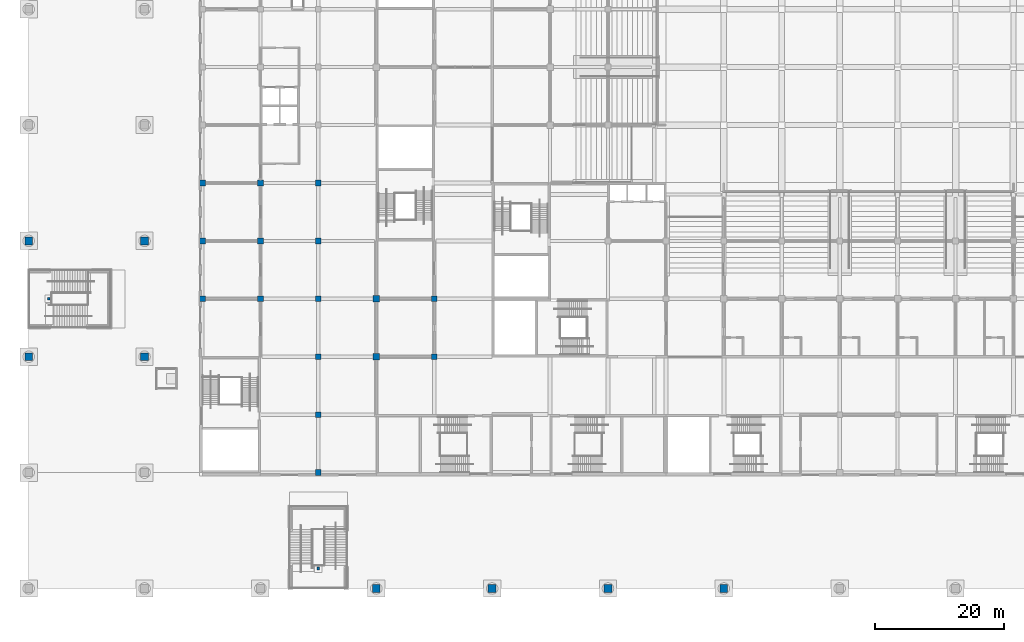
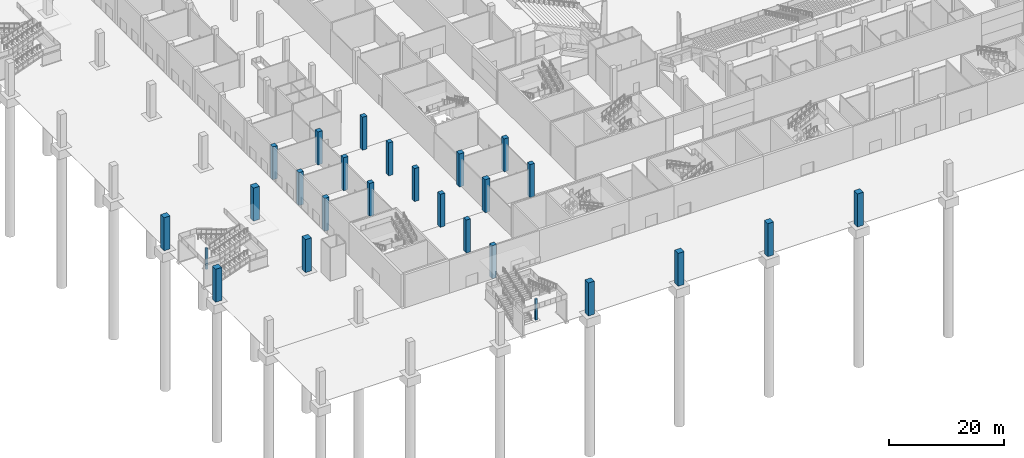
# One storey, part 2 of 92: 26 columns.
"""IFC4 building model written with IfcOpenShell, lengths in metres."""

from ifc_helpers import new_model, si_unit, direction, frame, origin, origin_2d, place, context, subcontext, project, spatial, rectangle, extrude, material, material_profile, profile_set, type_object, element, save


model = new_model("IFC4")

# Units and contexts
model_context = context("Model", 3, precision=1e-05, world=origin(), true_north=direction((0.0, 1.0)))
body_context = subcontext(model_context, "Body", "Model", "MODEL_VIEW")
ifc_project = project(units=[si_unit("LENGTHUNIT", "METRE"), si_unit("AREAUNIT", "SQUARE_METRE"), si_unit("VOLUMEUNIT", "CUBIC_METRE"), si_unit("PLANEANGLEUNIT", "RADIAN"), si_unit("MASSUNIT", "GRAM", prefix="KILO")], contexts=[model_context])

# Site, building, storey
site_placement = place(None, origin())
site = spatial("IfcSite", under=ifc_project, at=site_placement, CompositionType="ELEMENT")
building_placement = place(site_placement, origin())
building = spatial("IfcBuilding", under=site, at=building_placement, Name="Silverbay Arena", CompositionType="ELEMENT")
storey_placement = place(building_placement, origin())
storey = spatial("IfcBuildingStorey", under=building, at=storey_placement, Name="L00", CompositionType="ELEMENT", Elevation=0.0)

# Columns
ifc_material_1 = material(Name="Concrete Grade 60", Category="concrete")
ifc_material_profile_1 = material_profile(ifc_material_1, rectangle(XDim=1.0, YDim=1.0, at=origin_2d()), Name="RC 1000x1000")
ifc_profile_set_1 = profile_set([ifc_material_profile_1], Name="Concrete Grade 60")
column_type_1 = type_object("IfcColumnType", Name="RC column 1000x1000", PredefinedType="COLUMN", material=ifc_profile_set_1)
for number, where, z_axis, x_axis, name in (
    (1, (54.0, 36.0, 0.0), (0.0, 0.0, 1.0), (1.0, 0.0, 0.0), "Column 7/E L00"),
    (2, (54.0, 45.0, 0.0), (0.0, 0.0, 1.0), (1.0, 0.0, 0.0), "Column 7/F L00"),
):
    element("IfcColumn", number, at=place(storey_placement, frame(where, z_axis=z_axis, x_axis=x_axis)), inside=storey, type_object=column_type_1, Name=name, PredefinedType="COLUMN", context=body_context, shape_type="SweptSolid", body=[
        extrude(rectangle(XDim=1.0, YDim=1.0, at=origin_2d()), origin(), (0.0, 0.0, 1.0), 7.0),
    ])
ifc_material_2 = material(Name="Concrete Grade 60", Category="concrete")
ifc_material_profile_2 = material_profile(ifc_material_2, rectangle(XDim=1.199951171875, YDim=1.199951171875, at=origin_2d()), Name="RC 1200x1200")
ifc_profile_set_2 = profile_set([ifc_material_profile_2], Name="Concrete Grade 60")
column_type_2 = type_object("IfcColumnType", Name="RC column 1200x1200", PredefinedType="COLUMN", material=ifc_profile_set_2)
for number, where, z_axis, x_axis, name in (
    (3, (0.0, 36.0, 0.0), (0.0, 0.0, 1.0), (1.0, 0.0, 0.0), "Column 1/E L00"),
    (4, (18.0, 36.0, 0.0), (0.0, 0.0, 1.0), (1.0, 0.0, 0.0), "Column 3/E L00"),
    (5, (0.0, 54.0, 0.0), (0.0, 0.0, 1.0), (1.0, 0.0, 0.0), "Column 1/G L00"),
    (6, (18.0, 54.0, 0.0), (0.0, 0.0, 1.0), (1.0, 0.0, 0.0), "Column 3/G L00"),
    (7, (54.0, 0.0, 0.0), (0.0, 0.0, 1.0), (1.0, 0.0, 0.0), "Column 7/A L00"),
    (8, (72.0, 0.0, 0.0), (0.0, 0.0, 1.0), (1.0, 0.0, 0.0), "Column 9/A L00"),
    (9, (90.0, 0.0, 0.0), (0.0, 0.0, 1.0), (1.0, 0.0, 0.0), "Column 11/A L00"),
    (10, (108.0, 0.0, 0.0), (0.0, 0.0, 1.0), (1.0, 0.0, 0.0), "Column 13/A L00"),
):
    element("IfcColumn", number, at=place(storey_placement, frame(where, z_axis=z_axis, x_axis=x_axis)), inside=storey, type_object=column_type_2, Name=name, PredefinedType="COLUMN", context=body_context, shape_type="SweptSolid", body=[
        extrude(rectangle(XDim=1.199951171875, YDim=1.199951171875, at=origin_2d()), origin(), (0.0, 0.0, 1.0), 7.0),
    ])
ifc_material_3 = material(Name="Concrete Grade C45", Category="concrete")
ifc_material_profile_3 = material_profile(ifc_material_3, rectangle(XDim=0.89990234375, YDim=0.89990234375, at=origin_2d()), Name="RC 900x900")
ifc_profile_set_3 = profile_set([ifc_material_profile_3], Name="Concrete Grade C45")
column_type_3 = type_object("IfcColumnType", Name="RC column 900x900", PredefinedType="COLUMN", material=ifc_profile_set_3)
for number, where, z_axis, x_axis, name in (
    (11, (63.0, 36.0, 0.0), (0.0, 0.0, 1.0), (1.0, 0.0, 0.0), "Column 8/E L00"),
    (12, (63.0, 45.0, 0.0), (0.0, 0.0, 1.0), (1.0, 0.0, 0.0), "Column 8/F L00"),
    (13, (27.0, 45.0, 0.0), (0.0, 0.0, 1.0), (1.0, 0.0, 0.0), "Column 4/F L00"),
    (14, (27.0, 54.0, 0.0), (0.0, 0.0, 1.0), (1.0, 0.0, 0.0), "Column 4/G L00"),
    (15, (27.0, 63.0, 0.0), (0.0, 0.0, 1.0), (1.0, 0.0, 0.0), "Column 4/H L00"),
    (16, (36.0, 45.0, 0.0), (0.0, 0.0, 1.0), (1.0, 0.0, 0.0), "Column 5/F L00"),
    (17, (36.0, 54.0, 0.0), (0.0, 0.0, 1.0), (1.0, 0.0, 0.0), "Column 5/G L00"),
    (18, (36.0, 63.0, 0.0), (0.0, 0.0, 1.0), (1.0, 0.0, 0.0), "Column 5/H L00"),
    (19, (45.0, 18.0, 0.0), (0.0, 0.0, 1.0), (1.0, 0.0, 0.0), "Column 6/C L00"),
    (20, (45.0, 27.0, 0.0), (0.0, 0.0, 1.0), (1.0, 0.0, 0.0), "Column 6/D L00"),
    (21, (45.0, 36.0, 0.0), (0.0, 0.0, 1.0), (1.0, 0.0, 0.0), "Column 6/E L00"),
    (22, (45.0, 45.0, 0.0), (0.0, 0.0, 1.0), (1.0, 0.0, 0.0), "Column 6/F L00"),
    (23, (45.0, 54.0, 0.0), (0.0, 0.0, 1.0), (1.0, 0.0, 0.0), "Column 6/G L00"),
    (24, (45.0, 63.0, 0.0), (0.0, 0.0, 1.0), (1.0, 0.0, 0.0), "Column 6/H L00"),
):
    element("IfcColumn", number, at=place(storey_placement, frame(where, z_axis=z_axis, x_axis=x_axis)), inside=storey, type_object=column_type_3, Name=name, PredefinedType="COLUMN", context=body_context, shape_type="SweptSolid", body=[
        extrude(rectangle(XDim=0.89990234375, YDim=0.89990234375, at=origin_2d()), origin(), (0.0, 0.0, 1.0), 7.0),
    ])
ifc_material_4 = material(Name="Concrete Grade C45", Category="concrete")
ifc_material_profile_4 = material_profile(ifc_material_4, rectangle(XDim=0.39990234375, YDim=0.39990234375, at=origin_2d()), Name="RC 400x400")
ifc_profile_set_4 = profile_set([ifc_material_profile_4], Name="Concrete Grade C45")
column_type_4 = type_object("IfcColumnType", Name="Support column RC 400 x 400", PredefinedType="COLUMN", material=ifc_profile_set_4)
for number, where, z_axis, x_axis, name in (
    (25, (3.10009765625, 45.0, 0.0), (0.0, 0.0, 1.0), (1.0, 0.0, 0.0), "Deck stair DS1 landing support column"),
    (26, (45.0, 3.10009765625, 0.0), (0.0, 0.0, 1.0), (1.0, 0.0, 0.0), "Deck stair DS3 landing support column"),
):
    element("IfcColumn", number, at=place(storey_placement, frame(where, z_axis=z_axis, x_axis=x_axis)), inside=storey, type_object=column_type_4, Name=name, PredefinedType="COLUMN", context=body_context, shape_type="SweptSolid", body=[
        extrude(rectangle(XDim=0.39990234375, YDim=0.39990234375, at=origin_2d()), origin(), (0.0, 0.0, 1.0), 4.416748046875),
    ])

save(model, "model.ifc")
